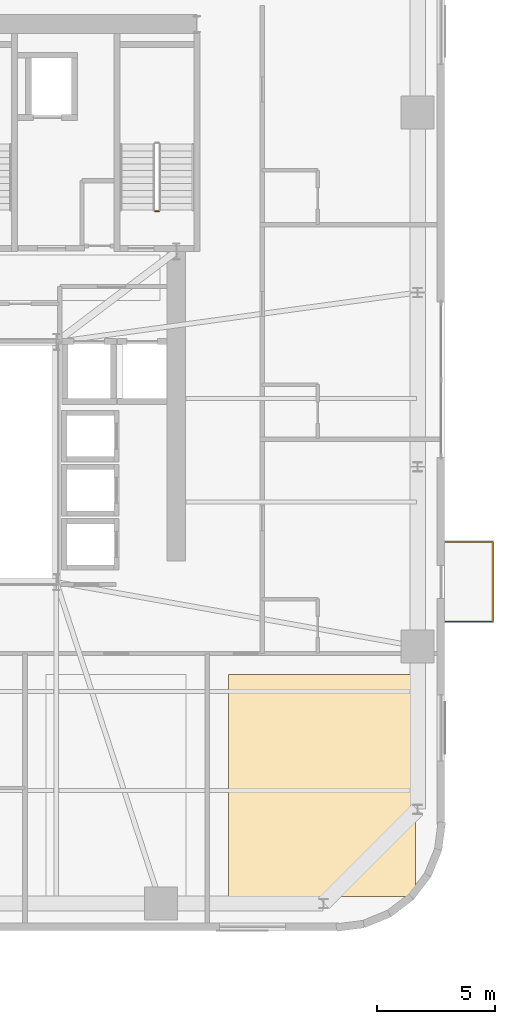
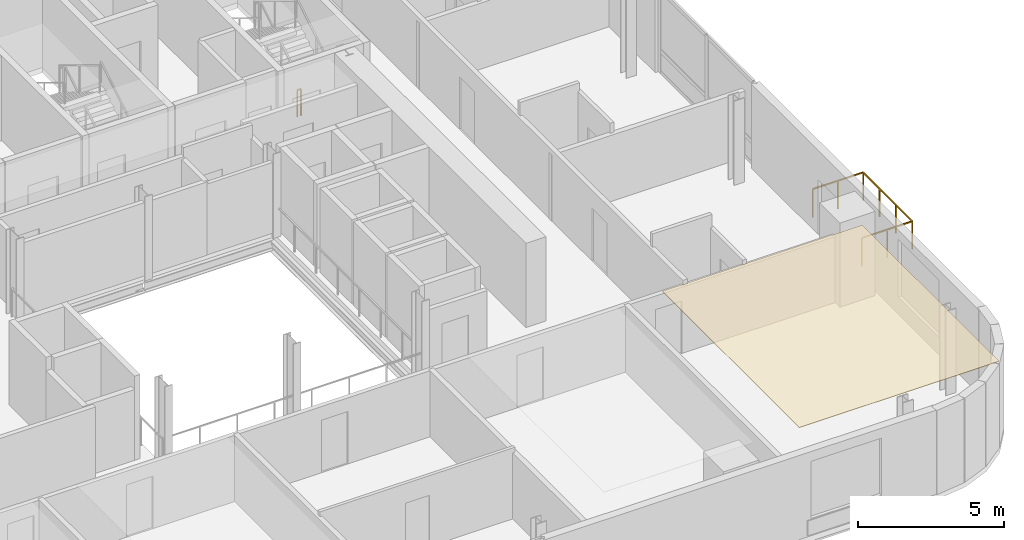
# One storey, part 14 of 16: 2 railings, 1 covering.
"""IFC4 building model written with IfcOpenShell, lengths in metres."""

from ifc_helpers import new_model, si_unit, direction, frame, origin, origin_2d, place, context, subcontext, project, spatial, polyline, rectangle, outline, extrude, source, transform, mapped, material, layer, layer_set, type_object, element, save


model = new_model("IFC4")

# Units and contexts
model_context = context("Model", 3, precision=1e-05, world=origin(), true_north=direction((0.0, 1.0)))
body_context = subcontext(model_context, "Body", "Model", "MODEL_VIEW")
ifc_project = project(units=[si_unit("LENGTHUNIT", "METRE"), si_unit("AREAUNIT", "SQUARE_METRE"), si_unit("VOLUMEUNIT", "CUBIC_METRE"), si_unit("PLANEANGLEUNIT", "RADIAN"), si_unit("MASSUNIT", "GRAM", prefix="KILO")], contexts=[model_context])

# Site, building, storey
site_placement = place(None, origin())
site = spatial("IfcSite", under=ifc_project, at=site_placement, CompositionType="ELEMENT")
building_placement = place(site_placement, origin())
building = spatial("IfcBuilding", under=site, at=building_placement, Name="Vardaveli Station Tower", CompositionType="ELEMENT")
storey_placement = place(building_placement, frame((0.0, 0.0, 188.550048828125)))
storey = spatial("IfcBuildingStorey", under=building, at=storey_placement, Name="L48", CompositionType="ELEMENT", Elevation=188.550048828125)

# Covering
ifc_material_1 = material(Name="Perforated acoustic mineral ceiling")
ifc_layer = layer(ifc_material_1, 0.02001953125, Name="Perforated acoustic mineral ceiling")
ifc_layer_set = layer_set([ifc_layer], Name="Perforated acoustic mineral ceiling")
covering_type = type_object("IfcCoveringType", Name="COV-CEIL-AC20", PredefinedType="CEILING", material=ifc_layer_set)
covering_placement = place(storey_placement, frame((0.0, 0.0, 3.514892578125)))
element("IfcCovering", 1, at=covering_placement, inside=storey, type_object=covering_type, Name="CEIL-L48-4", PredefinedType="CEILING", context=body_context, shape_type="SweptSolid", body=[
    extrude(outline(polyline([(48.719970703125, 3.25), (56.64990234375, 3.25), (56.64990234375, 12.669921875), (48.719970703125, 12.669921875), (48.719970703125, 3.25)])), origin(), (0.0, 0.0, 1.0), 0.02001953125),
])

# Railings
ifc_material_2 = material(Name="Laminated glass and stainless steel balustrade", Category="steel")
railing_type_1 = type_object("IfcRailingType", Name="RL-BAL-1200", PredefinedType="BALUSTRADE", material=ifc_material_2)
shared_shape_1 = source(origin(), body_context, "Body", "SweptSolid", [
    extrude(rectangle(XDim=0.048095703125, YDim=0.048095703125, at=origin_2d()), frame((0.0, 0.0, 1.17578125), z_axis=(1.0, 0.0, 0.0), x_axis=(0.0, 1.0, 0.0)), (0.0, 0.0, 1.0), 2.0),
    extrude(rectangle(XDim=0.048095703125, YDim=0.048095703125, at=origin_2d()), frame((2.0, 0.0, 1.17578125), z_axis=(0.0, 1.0, 0.0), x_axis=(-1.0, 0.0, 0.0)), (0.0, 0.0, 1.0), 3.3798828125),
    extrude(rectangle(XDim=0.048095703125, YDim=0.048095703125, at=origin_2d()), frame((2.0, 3.3798828125, 1.17578125), z_axis=(-1.0, 0.0, 0.0), x_axis=(0.0, -1.0, 0.0)), (0.0, 0.0, 1.0), 2.0),
    extrude(rectangle(XDim=0.0419921875, YDim=0.0419921875, at=origin_2d()), origin(), (0.0, 0.0, 1.0), 1.15185546875),
    extrude(rectangle(XDim=0.0419921875, YDim=0.0419921875, at=origin_2d()), frame((1.0, 0.0, 0.0)), (0.0, 0.0, 1.0), 1.15185546875),
    extrude(rectangle(XDim=0.0419921875, YDim=0.0419921875, at=origin_2d()), frame((2.0, 0.0, 0.0)), (0.0, 0.0, 1.0), 1.15185546875),
    extrude(rectangle(XDim=0.0419921875, YDim=0.0419921875, at=origin_2d()), frame((2.0, 1.126708984375, 0.0)), (0.0, 0.0, 1.0), 1.15185546875),
    extrude(rectangle(XDim=0.0419921875, YDim=0.0419921875, at=origin_2d()), frame((2.0, 2.253173828125, 0.0)), (0.0, 0.0, 1.0), 1.15185546875),
    extrude(rectangle(XDim=0.0419921875, YDim=0.0419921875, at=origin_2d()), frame((2.0, 3.3798828125, 0.0)), (0.0, 0.0, 1.0), 1.15185546875),
    extrude(rectangle(XDim=0.0419921875, YDim=0.0419921875, at=origin_2d()), frame((1.0, 3.3798828125, 0.0)), (0.0, 0.0, 1.0), 1.15185546875),
    extrude(rectangle(XDim=0.0419921875, YDim=0.0419921875, at=origin_2d()), frame((0.0, 3.3798828125, 0.0)), (0.0, 0.0, 1.0), 1.15185546875),
])
railing_1_placement = place(storey_placement, frame((57.93994140625, 14.92041015625, 0.0)))
element("IfcRailing", 2, at=railing_1_placement, inside=storey, type_object=railing_type_1, Name="RL-LOG-L48-04", PredefinedType="BALUSTRADE", context=body_context, shape_type="MappedRepresentation", body=[
    mapped(shared_shape_1, transform((0.0, 0.0, 0.0), scale=1.0)),
])
ifc_material_3 = material(Name="Brushed AISI 316 stainless steel", Category="steel")
railing_type_2 = type_object("IfcRailingType", Name="RL-GUARD-1150", PredefinedType="GUARDRAIL", material=ifc_material_3)
shared_shape_2 = source(origin(), body_context, "Body", "SweptSolid", [
    extrude(rectangle(XDim=0.048095703125, YDim=0.048095703125, at=origin_2d()), frame((0.0, 0.0, 1.1259765625), z_axis=(-1.0, 0.0, 0.0), x_axis=(0.0, -1.0, 0.0)), (0.0, 0.0, 1.0), 0.14990234375),
    extrude(rectangle(XDim=0.0419921875, YDim=0.0419921875, at=origin_2d()), origin(), (0.0, 0.0, 1.0), 1.101806640625),
    extrude(rectangle(XDim=0.0419921875, YDim=0.0419921875, at=origin_2d()), frame((-0.14990234375, 0.0, 0.0)), (0.0, 0.0, 1.0), 1.101806640625),
])
railing_2_placement = place(storey_placement, frame((45.75, 32.35009765625, 0.0)))
element("IfcRailing", 3, at=railing_2_placement, inside=storey, type_object=railing_type_2, Name="L48 ST-3 stair guard 4", PredefinedType="GUARDRAIL", context=body_context, shape_type="MappedRepresentation", body=[
    mapped(shared_shape_2, transform((0.0, 0.0, 0.0), scale=1.0)),
])

save(model, "model.ifc")
